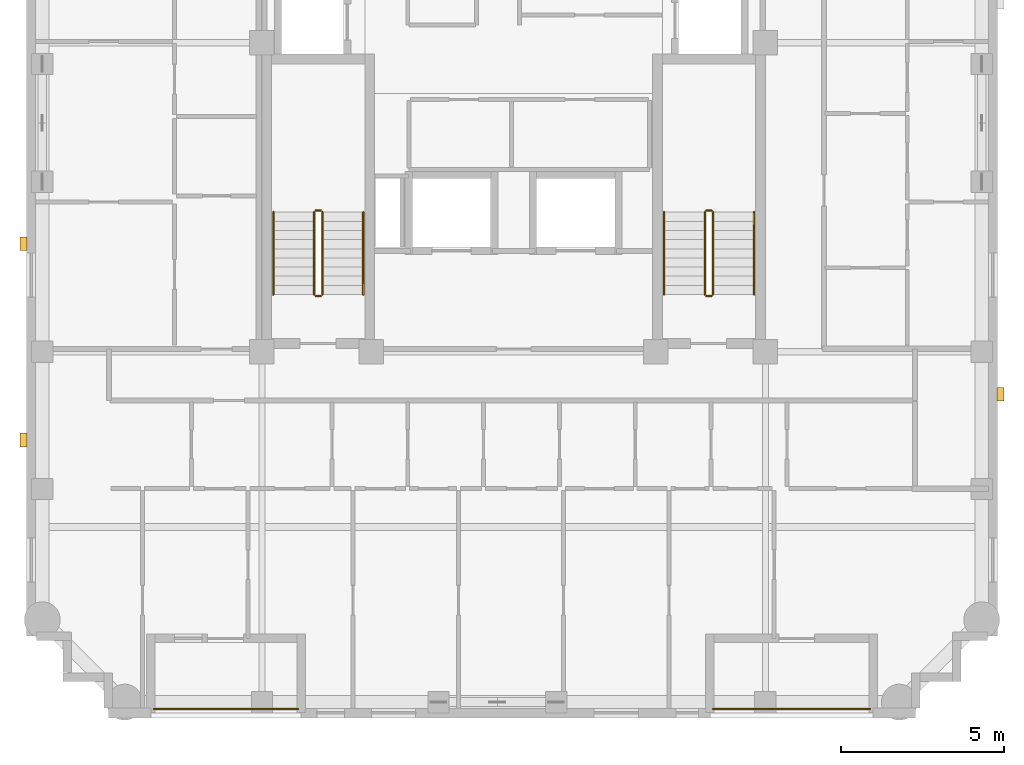
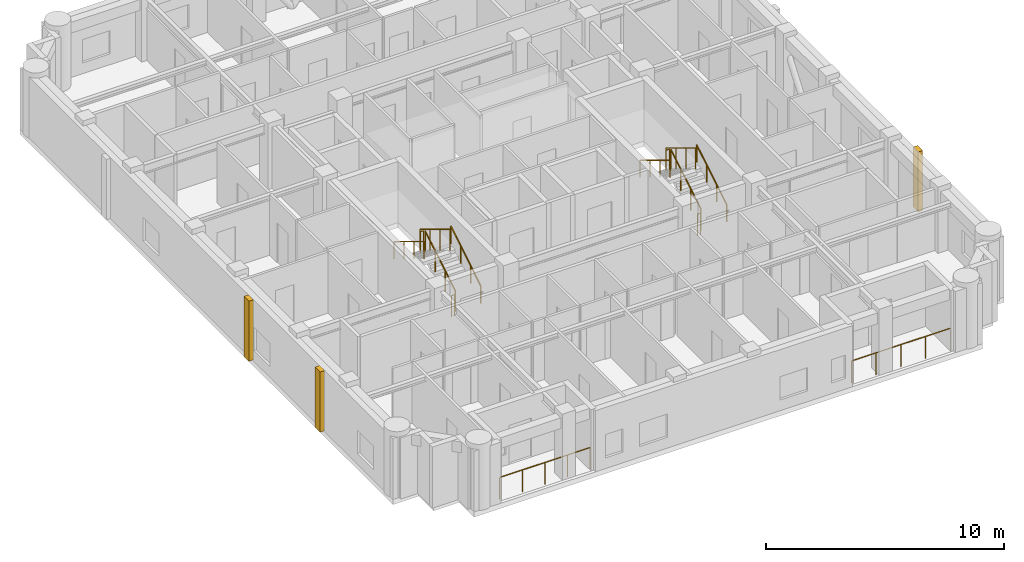
# One storey, part 10 of 11: 14 railings, 3 coverings.
"""IFC4 building model written with IfcOpenShell, lengths in metres."""

from ifc_helpers import new_model, si_unit, derived_unit, direction, frame, origin, origin_2d, place, context, subcontext, project, spatial, rectangle, circle, extrude, material, layer, layer_set, type_object, element, save


model = new_model("IFC4")

# Units and contexts
model_context = context("Model", 3, precision=1e-05, world=origin(), true_north=direction((0.0, 1.0)))
body_context = subcontext(model_context, "Body", "Model", "MODEL_VIEW")
ifc_project = project(units=[si_unit("LENGTHUNIT", "METRE"), si_unit("AREAUNIT", "SQUARE_METRE"), si_unit("VOLUMEUNIT", "CUBIC_METRE"), si_unit("PLANEANGLEUNIT", "RADIAN"), si_unit("MASSUNIT", "GRAM", prefix="KILO"), derived_unit("THERMALTRANSMITTANCEUNIT", [(si_unit("MASSUNIT", "GRAM", prefix="KILO"), 1), (si_unit("TIMEUNIT", "SECOND"), -3), (si_unit("THERMODYNAMICTEMPERATUREUNIT", "KELVIN"), -1)])], contexts=[model_context])

# Site, building, storey
site_placement = place(None, origin())
site = spatial("IfcSite", under=ifc_project, at=site_placement, CompositionType="ELEMENT")
building_placement = place(site_placement, origin())
building = spatial("IfcBuilding", under=site, at=building_placement, Name="Korrvale Station Residences", CompositionType="ELEMENT")
storey_placement = place(building_placement, frame((0.0, 0.0, 230.89990234375)))
storey = spatial("IfcBuildingStorey", under=building, at=storey_placement, Name="L67", CompositionType="ELEMENT", Elevation=230.89990234375)

# Coverings
ifc_material_1 = material(Name="Architectural precast concrete C45/55", Category="concrete")
ifc_layer = layer(ifc_material_1, 0.219970703125, Name="Architectural precast concrete C45/55")
ifc_layer_set = layer_set([ifc_layer], Name="Architectural precast concrete C45/55")
covering_type = type_object("IfcCoveringType", Name="COV-PIER-400", PredefinedType="CLADDING", material=ifc_layer_set)
for number, where, z_axis, x_axis, name in (
    (1, (10.510009765625, 12.300048828125, 0.02490234375), (0.0, 0.0, 1.0), (0.0, 1.0, 0.0), "L67 Architectural Precast Facade Pier 02"),
    (2, (10.510009765625, 18.300048828125, 0.02490234375), (0.0, 0.0, 1.0), (0.0, 1.0, 0.0), "L67 Architectural Precast Facade Pier 03"),
    (3, (40.389892578125, 13.699951171875, 0.02490234375), (0.0, 0.0, 1.0), (0.0, 1.0, 0.0), "L67 Architectural Precast Facade Pier 07"),
):
    element("IfcCovering", number, at=place(storey_placement, frame(where, z_axis=z_axis, x_axis=x_axis)), inside=storey, type_object=covering_type, Name=name, PredefinedType="CLADDING", context=body_context, shape_type="SweptSolid", body=[
        extrude(rectangle(XDim=0.419921875, YDim=0.219970703125, at=origin_2d()), origin(), (0.0, 0.0, 1.0), 3.090087890625),
    ])

# Railings
ifc_material_2 = material(Name="Powder-coated aluminium picket loggia guard", Category="aluminium")
railing_type_1 = type_object("IfcRailingType", Name="RLG-BAL-1150", PredefinedType="GUARDRAIL", material=ifc_material_2)
railing_1_placement = place(storey_placement, frame((31.60009765625, 4.070068359375, 0.0)))
element("IfcRailing", 4, at=railing_1_placement, inside=storey, type_object=railing_type_1, Name="L67 Recessed Loggia Guardrail BAL-L67-S2", PredefinedType="GUARDRAIL", context=body_context, shape_type="SweptSolid", body=[
    extrude(circle(Radius=0.02392578125, at=origin_2d()), frame((0.0, 0.0, 1.1259765625), z_axis=(1.0, 0.0, 0.0), x_axis=(0.0, 1.0, 0.0)), (0.0, 0.0, 1.0), 4.7998046875),
    extrude(circle(Radius=0.02099609375, at=origin_2d()), origin(), (0.0, 0.0, 1.0), 1.101806640625),
    extrude(circle(Radius=0.02099609375, at=origin_2d()), frame((1.199951171875, 0.0, 0.0)), (0.0, 0.0, 1.0), 1.101806640625),
    extrude(circle(Radius=0.02099609375, at=origin_2d()), frame((2.39990234375, 0.0, 0.0)), (0.0, 0.0, 1.0), 1.101806640625),
    extrude(circle(Radius=0.02099609375, at=origin_2d()), frame((3.599853515625, 0.0, 0.0)), (0.0, 0.0, 1.0), 1.101806640625),
    extrude(circle(Radius=0.02099609375, at=origin_2d()), frame((4.7998046875, 0.0, 0.0)), (0.0, 0.0, 1.0), 1.101806640625),
])
railing_2_placement = place(storey_placement, frame((14.5, 4.070068359375, 0.0)))
element("IfcRailing", 5, at=railing_2_placement, inside=storey, type_object=railing_type_1, Name="L67 Recessed Loggia Guardrail BAL-L67-S1", PredefinedType="GUARDRAIL", context=body_context, shape_type="SweptSolid", body=[
    extrude(circle(Radius=0.02392578125, at=origin_2d()), frame((0.0, 0.0, 1.1259765625), z_axis=(1.0, 0.0, 0.0), x_axis=(0.0, 1.0, 0.0)), (0.0, 0.0, 1.0), 4.39990234375),
    extrude(circle(Radius=0.02099609375, at=origin_2d()), origin(), (0.0, 0.0, 1.0), 1.101806640625),
    extrude(circle(Radius=0.02099609375, at=origin_2d()), frame((1.10009765625, 0.0, 0.0)), (0.0, 0.0, 1.0), 1.101806640625),
    extrude(circle(Radius=0.02099609375, at=origin_2d()), frame((2.199951171875, 0.0, 0.0)), (0.0, 0.0, 1.0), 1.101806640625),
    extrude(circle(Radius=0.02099609375, at=origin_2d()), frame((3.2998046875, 0.0, 0.0)), (0.0, 0.0, 1.0), 1.101806640625),
    extrude(circle(Radius=0.02099609375, at=origin_2d()), frame((4.39990234375, 0.0, 0.0)), (0.0, 0.0, 1.0), 1.101806640625),
])
ifc_material_3 = material(Name="Brushed stainless-steel continuous stair handrail", Category="steel")
railing_type_2 = type_object("IfcRailingType", Name="RLG-SHND-900", PredefinedType="HANDRAIL", material=ifc_material_3)
railing_3_placement = place(storey_placement, frame((20.89990234375, 16.75, 0.170166015625)))
element("IfcRailing", 6, at=railing_3_placement, inside=storey, type_object=railing_type_2, Name="L67 ST-1 stair handrail 1", PredefinedType="HANDRAIL", context=body_context, shape_type="SweptSolid", body=[
    extrude(circle(Radius=0.02392578125, at=origin_2d()), frame((0.0, 0.0, 0.8759765625), z_axis=(0.0, 0.85478489116, 0.518982456201), x_axis=(-1.0, 0.0, 0.0)), (0.0, 0.0, 1.0), 2.9482421875),
    extrude(circle(Radius=0.02099609375, at=origin_2d()), origin(), (0.0, 0.0, 1.0), 0.851806640625),
    extrude(circle(Radius=0.02099609375, at=origin_2d()), frame((0.0, 0.840087890625, 0.510009765625)), (0.0, 0.0, 1.0), 0.851806640625),
    extrude(circle(Radius=0.02099609375, at=origin_2d()), frame((0.0, 1.679931640625, 1.02001953125)), (0.0, 0.0, 1.0), 0.851806640625),
    extrude(circle(Radius=0.02099609375, at=origin_2d()), frame((0.0, 2.52001953125, 1.530029296875)), (0.0, 0.0, 1.0), 0.851806640625),
])
railing_4_placement = place(storey_placement, frame((18.14990234375, 19.27001953125, 1.8701171875)))
element("IfcRailing", 7, at=railing_4_placement, inside=storey, type_object=railing_type_2, Name="L67 ST-1 stair handrail 2", PredefinedType="HANDRAIL", context=body_context, shape_type="SweptSolid", body=[
    extrude(circle(Radius=0.02392578125, at=origin_2d()), frame((0.0, 0.0, 0.8759765625), z_axis=(0.0, -0.85478489116, 0.518982456201), x_axis=(1.0, 0.0, 0.0)), (0.0, 0.0, 1.0), 2.9482421875),
    extrude(circle(Radius=0.02099609375, at=origin_2d()), origin(), (0.0, 0.0, 1.0), 0.851806640625),
    extrude(circle(Radius=0.02099609375, at=origin_2d()), frame((0.0, -0.840087890625, 0.510009765625)), (0.0, 0.0, 1.0), 0.851806640625),
    extrude(circle(Radius=0.02099609375, at=origin_2d()), frame((0.0, -1.679931640625, 1.02001953125)), (0.0, 0.0, 1.0), 0.851806640625),
    extrude(circle(Radius=0.02099609375, at=origin_2d()), frame((0.0, -2.52001953125, 1.530029296875)), (0.0, 0.0, 1.0), 0.851806640625),
])
railing_5_placement = place(storey_placement, frame((32.85009765625, 16.75, 0.170166015625)))
element("IfcRailing", 8, at=railing_5_placement, inside=storey, type_object=railing_type_2, Name="L67 ST-2 stair handrail 1", PredefinedType="HANDRAIL", context=body_context, shape_type="SweptSolid", body=[
    extrude(circle(Radius=0.02392578125, at=origin_2d()), frame((0.0, 0.0, 0.8759765625), z_axis=(0.0, 0.85478489116, 0.518982456201), x_axis=(-1.0, 0.0, 0.0)), (0.0, 0.0, 1.0), 2.9482421875),
    extrude(circle(Radius=0.02099609375, at=origin_2d()), origin(), (0.0, 0.0, 1.0), 0.851806640625),
    extrude(circle(Radius=0.02099609375, at=origin_2d()), frame((0.0, 0.840087890625, 0.510009765625)), (0.0, 0.0, 1.0), 0.851806640625),
    extrude(circle(Radius=0.02099609375, at=origin_2d()), frame((0.0, 1.679931640625, 1.02001953125)), (0.0, 0.0, 1.0), 0.851806640625),
    extrude(circle(Radius=0.02099609375, at=origin_2d()), frame((0.0, 2.52001953125, 1.530029296875)), (0.0, 0.0, 1.0), 0.851806640625),
])
railing_6_placement = place(storey_placement, frame((30.10009765625, 19.27001953125, 1.8701171875)))
element("IfcRailing", 9, at=railing_6_placement, inside=storey, type_object=railing_type_2, Name="L67 ST-2 stair handrail 2", PredefinedType="HANDRAIL", context=body_context, shape_type="SweptSolid", body=[
    extrude(circle(Radius=0.02392578125, at=origin_2d()), frame((0.0, 0.0, 0.8759765625), z_axis=(0.0, -0.85478489116, 0.518982456201), x_axis=(1.0, 0.0, 0.0)), (0.0, 0.0, 1.0), 2.9482421875),
    extrude(circle(Radius=0.02099609375, at=origin_2d()), origin(), (0.0, 0.0, 1.0), 0.851806640625),
    extrude(circle(Radius=0.02099609375, at=origin_2d()), frame((0.0, -0.840087890625, 0.510009765625)), (0.0, 0.0, 1.0), 0.851806640625),
    extrude(circle(Radius=0.02099609375, at=origin_2d()), frame((0.0, -1.679931640625, 1.02001953125)), (0.0, 0.0, 1.0), 0.851806640625),
    extrude(circle(Radius=0.02099609375, at=origin_2d()), frame((0.0, -2.52001953125, 1.530029296875)), (0.0, 0.0, 1.0), 0.851806640625),
])
ifc_material_4 = material(Name="Galvanised painted tubular steel stair guard", Category="steel")
railing_type_3 = type_object("IfcRailingType", Name="RLG-STR-1100", PredefinedType="GUARDRAIL", material=ifc_material_4)
railing_7_placement = place(storey_placement, frame((19.64990234375, 16.75, 0.170166015625)))
element("IfcRailing", 10, at=railing_7_placement, inside=storey, type_object=railing_type_3, Name="L67 ST-1 stair guard 1", PredefinedType="GUARDRAIL", context=body_context, shape_type="SweptSolid", body=[
    extrude(circle(Radius=0.02392578125, at=origin_2d()), frame((0.0, 0.0, 1.076171875), z_axis=(0.0, 0.85478489116, 0.518982456201), x_axis=(-1.0, 0.0, 0.0)), (0.0, 0.0, 1.0), 2.9482421875),
    extrude(circle(Radius=0.02099609375, at=origin_2d()), origin(), (0.0, 0.0, 1.0), 1.052001953125),
    extrude(circle(Radius=0.02099609375, at=origin_2d()), frame((0.0, 0.840087890625, 0.510009765625)), (0.0, 0.0, 1.0), 1.052001953125),
    extrude(circle(Radius=0.02099609375, at=origin_2d()), frame((0.0, 1.679931640625, 1.02001953125)), (0.0, 0.0, 1.0), 1.052001953125),
    extrude(circle(Radius=0.02099609375, at=origin_2d()), frame((0.0, 2.52001953125, 1.530029296875)), (0.0, 0.0, 1.0), 1.052001953125),
])
railing_8_placement = place(storey_placement, frame((19.60009765625, 19.320068359375, 1.7001953125)))
element("IfcRailing", 11, at=railing_8_placement, inside=storey, type_object=railing_type_3, Name="L67 ST-1 stair guard 2", PredefinedType="GUARDRAIL", context=body_context, shape_type="SweptSolid", body=[
    extrude(circle(Radius=0.02392578125, at=origin_2d()), frame((0.0, 0.0, 1.076171875), z_axis=(-1.0, 0.0, 0.0), x_axis=(0.0, -1.0, 0.0)), (0.0, 0.0, 1.0), 0.150146484375),
    extrude(circle(Radius=0.02099609375, at=origin_2d()), origin(), (0.0, 0.0, 1.0), 1.052001953125),
    extrude(circle(Radius=0.02099609375, at=origin_2d()), frame((-0.150146484375, 0.0, 0.0)), (0.0, 0.0, 1.0), 1.052001953125),
])
railing_9_placement = place(storey_placement, frame((19.39990234375, 19.27001953125, 1.8701171875)))
element("IfcRailing", 12, at=railing_9_placement, inside=storey, type_object=railing_type_3, Name="L67 ST-1 stair guard 3", PredefinedType="GUARDRAIL", context=body_context, shape_type="SweptSolid", body=[
    extrude(circle(Radius=0.02392578125, at=origin_2d()), frame((0.0, 0.0, 1.076171875), z_axis=(0.0, -0.85478489116, 0.518982456201), x_axis=(1.0, 0.0, 0.0)), (0.0, 0.0, 1.0), 2.9482421875),
    extrude(circle(Radius=0.02099609375, at=origin_2d()), origin(), (0.0, 0.0, 1.0), 1.052001953125),
    extrude(circle(Radius=0.02099609375, at=origin_2d()), frame((0.0, -0.840087890625, 0.510009765625)), (0.0, 0.0, 1.0), 1.052001953125),
    extrude(circle(Radius=0.02099609375, at=origin_2d()), frame((0.0, -1.679931640625, 1.02001953125)), (0.0, 0.0, 1.0), 1.052001953125),
    extrude(circle(Radius=0.02099609375, at=origin_2d()), frame((0.0, -2.52001953125, 1.530029296875)), (0.0, 0.0, 1.0), 1.052001953125),
])
railing_10_placement = place(storey_placement, frame((19.60009765625, 16.699951171875, 0.0)))
element("IfcRailing", 13, at=railing_10_placement, inside=storey, type_object=railing_type_3, Name="L67 ST-1 stair guard 4", PredefinedType="GUARDRAIL", context=body_context, shape_type="SweptSolid", body=[
    extrude(circle(Radius=0.02392578125, at=origin_2d()), frame((0.0, 0.0, 1.076171875), z_axis=(-1.0, 0.0, 0.0), x_axis=(0.0, -1.0, 0.0)), (0.0, 0.0, 1.0), 0.150146484375),
    extrude(circle(Radius=0.02099609375, at=origin_2d()), origin(), (0.0, 0.0, 1.0), 1.052001953125),
    extrude(circle(Radius=0.02099609375, at=origin_2d()), frame((-0.150146484375, 0.0, 0.0)), (0.0, 0.0, 1.0), 1.052001953125),
])
railing_11_placement = place(storey_placement, frame((31.60009765625, 16.75, 0.170166015625)))
element("IfcRailing", 14, at=railing_11_placement, inside=storey, type_object=railing_type_3, Name="L67 ST-2 stair guard 1", PredefinedType="GUARDRAIL", context=body_context, shape_type="SweptSolid", body=[
    extrude(circle(Radius=0.02392578125, at=origin_2d()), frame((0.0, 0.0, 1.076171875), z_axis=(0.0, 0.85478489116, 0.518982456201), x_axis=(-1.0, 0.0, 0.0)), (0.0, 0.0, 1.0), 2.9482421875),
    extrude(circle(Radius=0.02099609375, at=origin_2d()), origin(), (0.0, 0.0, 1.0), 1.052001953125),
    extrude(circle(Radius=0.02099609375, at=origin_2d()), frame((0.0, 0.840087890625, 0.510009765625)), (0.0, 0.0, 1.0), 1.052001953125),
    extrude(circle(Radius=0.02099609375, at=origin_2d()), frame((0.0, 1.679931640625, 1.02001953125)), (0.0, 0.0, 1.0), 1.052001953125),
    extrude(circle(Radius=0.02099609375, at=origin_2d()), frame((0.0, 2.52001953125, 1.530029296875)), (0.0, 0.0, 1.0), 1.052001953125),
])
railing_12_placement = place(storey_placement, frame((31.550048828125, 19.320068359375, 1.7001953125)))
element("IfcRailing", 15, at=railing_12_placement, inside=storey, type_object=railing_type_3, Name="L67 ST-2 stair guard 2", PredefinedType="GUARDRAIL", context=body_context, shape_type="SweptSolid", body=[
    extrude(circle(Radius=0.02392578125, at=origin_2d()), frame((0.0, 0.0, 1.076171875), z_axis=(-1.0, 0.0, 0.0), x_axis=(0.0, -1.0, 0.0)), (0.0, 0.0, 1.0), 0.150146484375),
    extrude(circle(Radius=0.02099609375, at=origin_2d()), origin(), (0.0, 0.0, 1.0), 1.052001953125),
    extrude(circle(Radius=0.02099609375, at=origin_2d()), frame((-0.150146484375, 0.0, 0.0)), (0.0, 0.0, 1.0), 1.052001953125),
])
railing_13_placement = place(storey_placement, frame((31.35009765625, 19.27001953125, 1.8701171875)))
element("IfcRailing", 16, at=railing_13_placement, inside=storey, type_object=railing_type_3, Name="L67 ST-2 stair guard 3", PredefinedType="GUARDRAIL", context=body_context, shape_type="SweptSolid", body=[
    extrude(circle(Radius=0.02392578125, at=origin_2d()), frame((0.0, 0.0, 1.076171875), z_axis=(0.0, -0.85478489116, 0.518982456201), x_axis=(1.0, 0.0, 0.0)), (0.0, 0.0, 1.0), 2.9482421875),
    extrude(circle(Radius=0.02099609375, at=origin_2d()), origin(), (0.0, 0.0, 1.0), 1.052001953125),
    extrude(circle(Radius=0.02099609375, at=origin_2d()), frame((0.0, -0.840087890625, 0.510009765625)), (0.0, 0.0, 1.0), 1.052001953125),
    extrude(circle(Radius=0.02099609375, at=origin_2d()), frame((0.0, -1.679931640625, 1.02001953125)), (0.0, 0.0, 1.0), 1.052001953125),
    extrude(circle(Radius=0.02099609375, at=origin_2d()), frame((0.0, -2.52001953125, 1.530029296875)), (0.0, 0.0, 1.0), 1.052001953125),
])
railing_14_placement = place(storey_placement, frame((31.550048828125, 16.699951171875, 0.0)))
element("IfcRailing", 17, at=railing_14_placement, inside=storey, type_object=railing_type_3, Name="L67 ST-2 stair guard 4", PredefinedType="GUARDRAIL", context=body_context, shape_type="SweptSolid", body=[
    extrude(circle(Radius=0.02392578125, at=origin_2d()), frame((0.0, 0.0, 1.076171875), z_axis=(-1.0, 0.0, 0.0), x_axis=(0.0, -1.0, 0.0)), (0.0, 0.0, 1.0), 0.150146484375),
    extrude(circle(Radius=0.02099609375, at=origin_2d()), origin(), (0.0, 0.0, 1.0), 1.052001953125),
    extrude(circle(Radius=0.02099609375, at=origin_2d()), frame((-0.150146484375, 0.0, 0.0)), (0.0, 0.0, 1.0), 1.052001953125),
])

save(model, "model.ifc")
